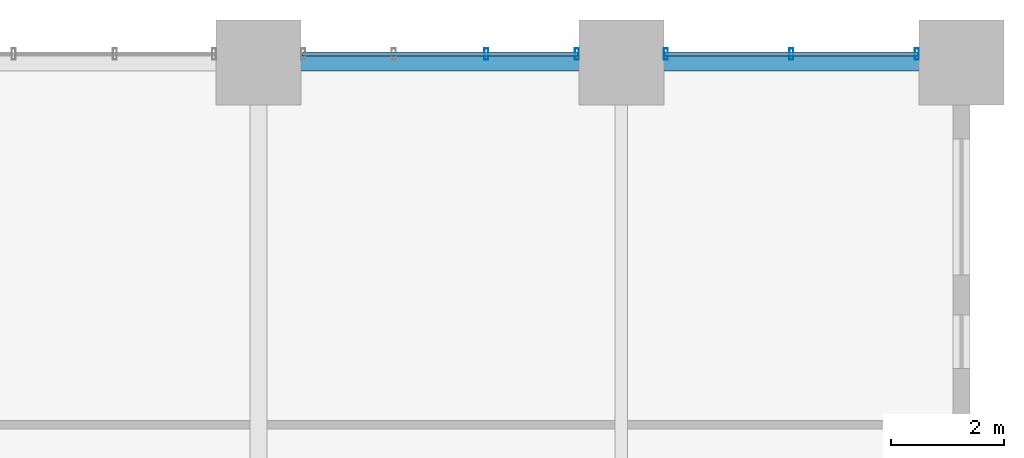
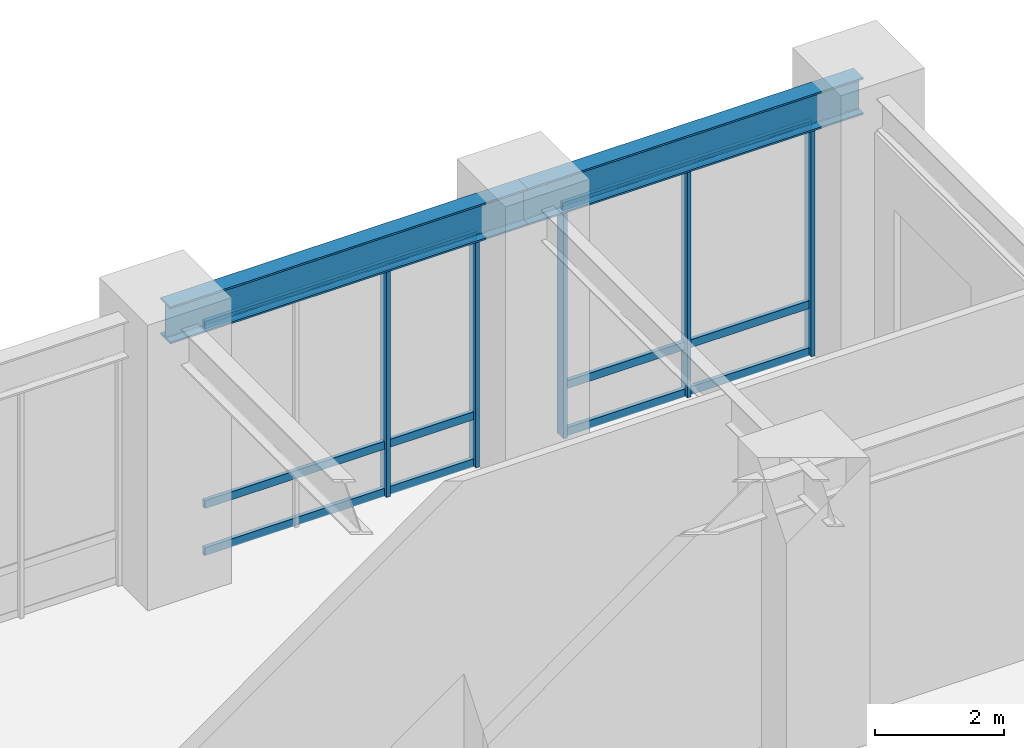
# One storey, part 11 of 22: 11 members, 2 beams, 2 elements without a shape of their own.
"""IFC4 building model written with IfcOpenShell, lengths in metres."""

from ifc_helpers import new_model, si_unit, direction, frame, origin, origin_2d, place, context, subcontext, project, spatial, hollow_rectangle, i_section, extrude, source, transform, mapped, material, layer, layer_set, material_profile, profile_set, type_object, element, aggregate, save


model = new_model("IFC4")

# Units and contexts
model_context = context("Model", 3, precision=1e-05, world=origin(), true_north=direction((0.0, 1.0)))
body_context = subcontext(model_context, "Body", "Model", "MODEL_VIEW")
ifc_project = project(units=[si_unit("LENGTHUNIT", "METRE"), si_unit("AREAUNIT", "SQUARE_METRE"), si_unit("VOLUMEUNIT", "CUBIC_METRE"), si_unit("PLANEANGLEUNIT", "RADIAN"), si_unit("MASSUNIT", "GRAM", prefix="KILO")], contexts=[model_context])

# Site, building, storey
site_placement = place(None, origin())
site = spatial("IfcSite", under=ifc_project, at=site_placement, CompositionType="ELEMENT")
building_placement = place(site_placement, origin())
building = spatial("IfcBuilding", under=site, at=building_placement, Name="Kaliganga Portal Commons", CompositionType="ELEMENT")
storey_placement = place(building_placement, origin())
storey = spatial("IfcBuildingStorey", under=building, at=storey_placement, Name="L00", CompositionType="ELEMENT", Elevation=0.0)

# Beams
ifc_material_1 = material(Name="Structural steel S355J2", Category="steel")
ifc_material_profile_1 = material_profile(ifc_material_1, i_section(OverallWidth=0.300048828125, OverallDepth=0.699951171875, WebThickness=0.01708984375, FlangeThickness=0.031982421875, FilletRadius=0.027099609375, at=origin_2d()), Name="HE 700 B")
ifc_profile_set_1 = profile_set([ifc_material_profile_1], Name="Structural steel S355J2 wide-flange")
beam_type = type_object("IfcBeamType", Name="BM-GIRD-700", PredefinedType="USERDEFINED", material=ifc_profile_set_1)
shared_shape_1 = source(origin(), body_context, "Body", "SweptSolid", [
    extrude(i_section(OverallWidth=0.300048828125, OverallDepth=0.699951171875, WebThickness=0.01708984375, FlangeThickness=0.031982421875, FilletRadius=0.027099609375, at=origin_2d()), origin(), (0.0, 0.0, 1.0), 6.0),
])
beam_1_placement = place(storey_placement, frame((67.199951171875, 44.85009765625, 4.77001953125), z_axis=(1.0, 0.0, 0.0), x_axis=(0.0, 1.0, 0.0)))
element("IfcBeam", 1, at=beam_1_placement, inside=storey, type_object=beam_type, Name="BM PODE L00 Y44 2", ObjectType="GIRDER", PredefinedType="USERDEFINED", context=body_context, shape_type="MappedRepresentation", body=[
    mapped(shared_shape_1, transform((0.0, 0.0, 0.0), x_axis=(1.0, 0.0, 0.0), y_axis=(0.0, 1.0, 0.0), z_axis=(0.0, 0.0, 1.0), scale=1.0)),
])
shared_shape_2 = source(origin(), body_context, "Body", "SweptSolid", [
    extrude(i_section(OverallWidth=0.300048828125, OverallDepth=0.699951171875, WebThickness=0.01708984375, FlangeThickness=0.031982421875, FilletRadius=0.027099609375, at=origin_2d()), origin(), (0.0, 0.0, 1.0), 6.39990234375),
])
beam_2_placement = place(storey_placement, frame((60.800048828125, 44.85009765625, 4.77001953125), z_axis=(1.0, 0.0, 0.0), x_axis=(0.0, 1.0, 0.0)))
element("IfcBeam", 2, at=beam_2_placement, inside=storey, type_object=beam_type, Name="BM PODE L00 Y44 1", ObjectType="GIRDER", PredefinedType="USERDEFINED", context=body_context, shape_type="MappedRepresentation", body=[
    mapped(shared_shape_2, transform((0.0, 0.0, 0.0), x_axis=(1.0, 0.0, 0.0), y_axis=(0.0, 1.0, 0.0), z_axis=(0.0, 0.0, 1.0), scale=1.0)),
])

# Curtain wall, members
ifc_material_2 = material(Name="Anodized Aluminium and Laminated Low-E Glass", Category="aluminium")
ifc_layer = layer(ifc_material_2, 0.219970703125)
ifc_layer_set = layer_set([ifc_layer], Name="Anodized Aluminium and Laminated Low-E Glass")
curtain_wall_type = type_object("IfcCurtainWallType", Name="CW-SYS-01", PredefinedType="NOTDEFINED", material=ifc_layer_set)
curtain_wall_1_placement = place(storey_placement, origin())
curtain_wall_1 = element("IfcCurtainWall", 3, at=curtain_wall_1_placement, inside=storey, type_object=curtain_wall_type, Name="CW 01 L00 P1E02S1", PredefinedType="NOTDEFINED")
ifc_material_3 = material(Name="Dark Bronze Anodized Aluminium", Category="aluminium")
ifc_material_profile_2 = material_profile(ifc_material_3, hollow_rectangle(XDim=0.070068359375, YDim=0.199951171875, WallThickness=0.00390625, at=origin_2d()), Name="ALU MULL 70x200x4")
ifc_profile_set_2 = profile_set([ifc_material_profile_2], Name="Dark Bronze Anodized Aluminium")
member_type_1 = type_object("IfcMemberType", Name="CW-MUL-220", PredefinedType="MULLION", material=ifc_profile_set_2)
shared_shape_3 = source(origin(), body_context, "Body", "SweptSolid", [
    extrude(hollow_rectangle(XDim=0.070068359375, YDim=0.199951171875, WallThickness=0.00390625, at=origin_2d()), origin(), (0.0, 0.0, 1.0), 4.419921875),
])
member_1_placement = place(storey_placement, frame((72.4140625, 45.0, 0.0), z_axis=(0.0, 0.0, 1.0), x_axis=(-1.0, 0.0, 0.0)))
member_1 = element("IfcMember", 4, at=member_1_placement, type_object=member_type_1, Name="CW:01:L00:P1E02S1 Mullion 00", PredefinedType="MULLION", context=body_context, shape_type="MappedRepresentation", body=[
    mapped(shared_shape_3, transform((0.0, 0.0, 0.0), x_axis=(1.0, 0.0, 0.0), y_axis=(0.0, 1.0, 0.0), z_axis=(0.0, 0.0, 1.0), scale=1.0)),
])
member_2_placement = place(storey_placement, frame((70.199951171875, 45.0, 0.0), z_axis=(0.0, 0.0, 1.0), x_axis=(-1.0, 0.0, 0.0)))
member_2 = element("IfcMember", 5, at=member_2_placement, type_object=member_type_1, Name="CW:01:L00:P1E02S1 Mullion 01", PredefinedType="MULLION", context=body_context, shape_type="MappedRepresentation", body=[
    mapped(shared_shape_3, transform((0.0, 0.0, 0.0), x_axis=(1.0, 0.0, 0.0), y_axis=(0.0, 1.0, 0.0), z_axis=(0.0, 0.0, 1.0), scale=1.0)),
])
member_3_placement = place(storey_placement, frame((67.986083984375, 45.0, 0.0), z_axis=(0.0, 0.0, 1.0), x_axis=(-1.0, 0.0, 0.0)))
member_3 = element("IfcMember", 6, at=member_3_placement, type_object=member_type_1, Name="CW:01:L00:P1E02S1 Mullion 02", PredefinedType="MULLION", context=body_context, shape_type="MappedRepresentation", body=[
    mapped(shared_shape_3, transform((0.0, 0.0, 0.0), x_axis=(1.0, 0.0, 0.0), y_axis=(0.0, 1.0, 0.0), z_axis=(0.0, 0.0, 1.0), scale=1.0)),
])

curtain_wall_2_placement = place(storey_placement, origin())
curtain_wall_2 = element("IfcCurtainWall", 7, at=curtain_wall_2_placement, inside=storey, type_object=curtain_wall_type, Name="CW 01 L00 P1E02S2", PredefinedType="NOTDEFINED")
member_4_placement = place(storey_placement, frame((66.4140625, 45.0, 0.0), z_axis=(0.0, 0.0, 1.0), x_axis=(-1.0, 0.0, 0.0)))
member_4 = element("IfcMember", 8, at=member_4_placement, type_object=member_type_1, Name="CW:01:L00:P1E02S2 Mullion 00", PredefinedType="MULLION", context=body_context, shape_type="MappedRepresentation", body=[
    mapped(shared_shape_3, transform((0.0, 0.0, 0.0), x_axis=(1.0, 0.0, 0.0), y_axis=(0.0, 1.0, 0.0), z_axis=(0.0, 0.0, 1.0), scale=1.0)),
])
member_5_placement = place(storey_placement, frame((64.81640625, 45.0, 0.0), z_axis=(0.0, 0.0, 1.0), x_axis=(-1.0, 0.0, 0.0)))
member_5 = element("IfcMember", 9, at=member_5_placement, type_object=member_type_1, Name="CW:01:L00:P1E02S2 Mullion 01", PredefinedType="MULLION", context=body_context, shape_type="MappedRepresentation", body=[
    mapped(shared_shape_3, transform((0.0, 0.0, 0.0), x_axis=(1.0, 0.0, 0.0), y_axis=(0.0, 1.0, 0.0), z_axis=(0.0, 0.0, 1.0), scale=1.0)),
])

# Member
ifc_material_profile_3 = material_profile(ifc_material_3, hollow_rectangle(XDim=0.070068359375, YDim=0.14990234375, WallThickness=0.00341796875, at=origin_2d()), Name="ALU TRAN 70x150x3.5")
ifc_profile_set_3 = profile_set([ifc_material_profile_3], Name="Dark Bronze Anodized Aluminium")
member_type_2 = type_object("IfcMemberType", Name="CW-TRN-150", PredefinedType="USERDEFINED", material=ifc_profile_set_3)
shared_shape_4 = source(origin(), body_context, "Body", "SweptSolid", [
    extrude(hollow_rectangle(XDim=0.070068359375, YDim=0.14990234375, WallThickness=0.00341796875, at=origin_2d()), origin(), (0.0, 0.0, 1.0), 4.4580078125),
])
member_6_placement = place(storey_placement, frame((72.428955078125, 45.0, 0.06005859375), z_axis=(-1.0, 0.0, 0.0), x_axis=(0.0, -1.0, 0.0)))
member_6 = element("IfcMember", 10, at=member_6_placement, type_object=member_type_2, Name="CW:01:L00:P1E02S1 Transom 1", ObjectType="TRANSOM", PredefinedType="USERDEFINED", context=body_context, shape_type="MappedRepresentation", body=[
    mapped(shared_shape_4, transform((0.0, 0.0, 0.0), x_axis=(1.0, 0.0, 0.0), y_axis=(0.0, 1.0, 0.0), z_axis=(0.0, 0.0, 1.0), scale=1.0)),
])

member_7_placement = place(storey_placement, frame((72.428955078125, 45.0, 0.949951171875), z_axis=(-1.0, 0.0, 0.0), x_axis=(0.0, -1.0, 0.0)))
member_7 = element("IfcMember", 11, at=member_7_placement, type_object=member_type_2, Name="CW:01:L00:P1E02S1 Transom 2", ObjectType="TRANSOM", PredefinedType="USERDEFINED", context=body_context, shape_type="MappedRepresentation", body=[
    mapped(shared_shape_4, transform((0.0, 0.0, 0.0), x_axis=(1.0, 0.0, 0.0), y_axis=(0.0, 1.0, 0.0), z_axis=(0.0, 0.0, 1.0), scale=1.0)),
])

member_8_placement = place(storey_placement, frame((72.428955078125, 45.0, 4.340087890625), z_axis=(-1.0, 0.0, 0.0), x_axis=(0.0, -1.0, 0.0)))
member_8 = element("IfcMember", 12, at=member_8_placement, type_object=member_type_2, Name="CW:01:L00:P1E02S1 Transom 3", ObjectType="TRANSOM", PredefinedType="USERDEFINED", context=body_context, shape_type="MappedRepresentation", body=[
    mapped(shared_shape_4, transform((0.0, 0.0, 0.0), x_axis=(1.0, 0.0, 0.0), y_axis=(0.0, 1.0, 0.0), z_axis=(0.0, 0.0, 1.0), scale=1.0)),
])

aggregate(curtain_wall_1, [member_1, member_2, member_3, member_6, member_7, member_8])

shared_shape_5 = source(origin(), body_context, "Body", "SweptSolid", [
    extrude(hollow_rectangle(XDim=0.070068359375, YDim=0.14990234375, WallThickness=0.00341796875, at=origin_2d()), origin(), (0.0, 0.0, 1.0), 4.85791015625),
])
member_9_placement = place(storey_placement, frame((66.428955078125, 45.0, 0.06005859375), z_axis=(-1.0, 0.0, 0.0), x_axis=(0.0, -1.0, 0.0)))
member_9 = element("IfcMember", 13, at=member_9_placement, type_object=member_type_2, Name="CW:01:L00:P1E02S2 Transom 1", ObjectType="TRANSOM", PredefinedType="USERDEFINED", context=body_context, shape_type="MappedRepresentation", body=[
    mapped(shared_shape_5, transform((0.0, 0.0, 0.0), x_axis=(1.0, 0.0, 0.0), y_axis=(0.0, 1.0, 0.0), z_axis=(0.0, 0.0, 1.0), scale=1.0)),
])

member_10_placement = place(storey_placement, frame((66.428955078125, 45.0, 0.949951171875), z_axis=(-1.0, 0.0, 0.0), x_axis=(0.0, -1.0, 0.0)))
member_10 = element("IfcMember", 14, at=member_10_placement, type_object=member_type_2, Name="CW:01:L00:P1E02S2 Transom 2", ObjectType="TRANSOM", PredefinedType="USERDEFINED", context=body_context, shape_type="MappedRepresentation", body=[
    mapped(shared_shape_5, transform((0.0, 0.0, 0.0), x_axis=(1.0, 0.0, 0.0), y_axis=(0.0, 1.0, 0.0), z_axis=(0.0, 0.0, 1.0), scale=1.0)),
])

member_11_placement = place(storey_placement, frame((66.428955078125, 45.0, 4.340087890625), z_axis=(-1.0, 0.0, 0.0), x_axis=(0.0, -1.0, 0.0)))
member_11 = element("IfcMember", 15, at=member_11_placement, type_object=member_type_2, Name="CW:01:L00:P1E02S2 Transom 3", ObjectType="TRANSOM", PredefinedType="USERDEFINED", context=body_context, shape_type="MappedRepresentation", body=[
    mapped(shared_shape_5, transform((0.0, 0.0, 0.0), x_axis=(1.0, 0.0, 0.0), y_axis=(0.0, 1.0, 0.0), z_axis=(0.0, 0.0, 1.0), scale=1.0)),
])

aggregate(curtain_wall_2, [member_4, member_5, member_9, member_10, member_11])

save(model, "model.ifc")
